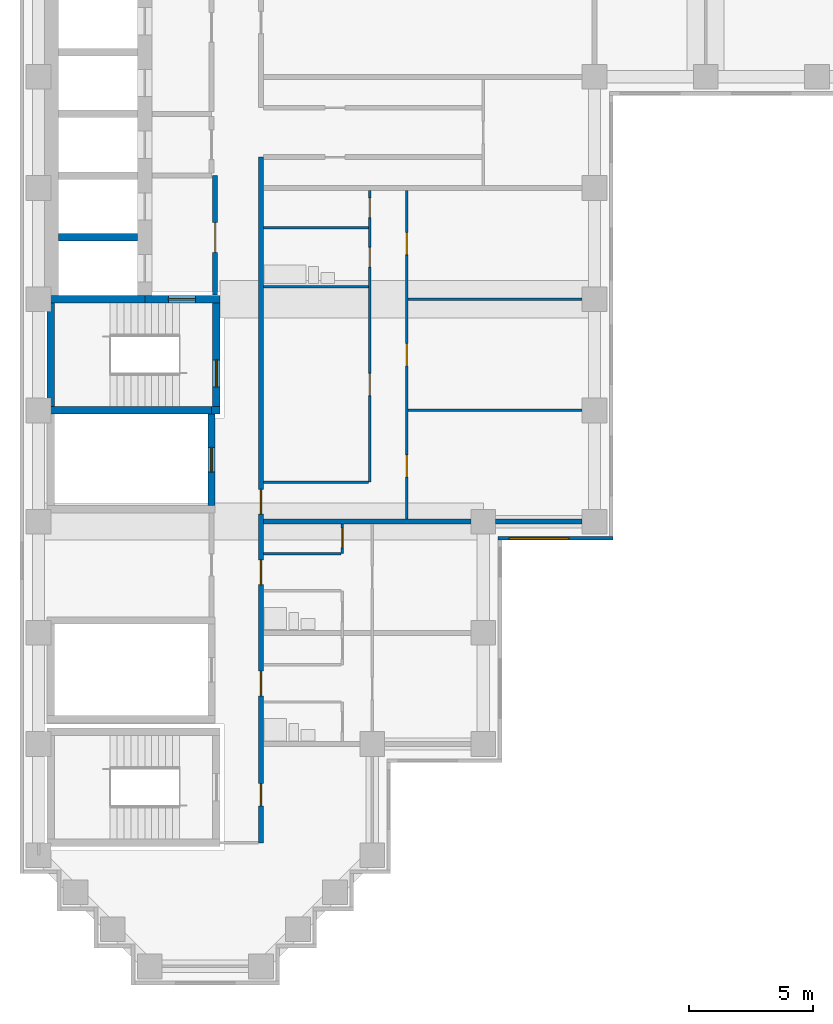
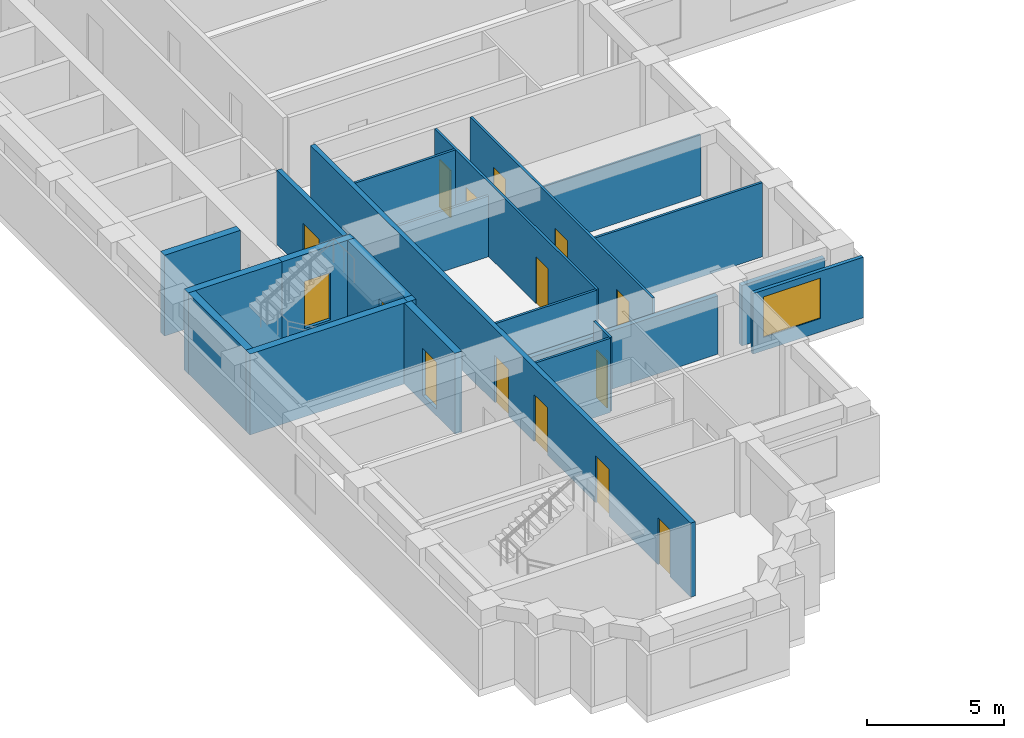
# One storey, part 3 of 12: 22 walls, 15 doors, 1 window, 16 openings.
"""IFC4 building model written with IfcOpenShell, lengths in metres."""

from ifc_helpers import new_model, si_unit, direction, frame, frame_2d, origin, place, context, subcontext, project, spatial, rectangle, extrude, material, layer, layer_set, type_object, element, fill, save


model = new_model("IFC4")

# Units and contexts
model_context = context("Model", 3, precision=1e-05, world=origin(), true_north=direction((0.0, 1.0)))
body_context = subcontext(model_context, "Body", "Model", "MODEL_VIEW")
ifc_project = project(units=[si_unit("LENGTHUNIT", "METRE"), si_unit("AREAUNIT", "SQUARE_METRE"), si_unit("VOLUMEUNIT", "CUBIC_METRE"), si_unit("PLANEANGLEUNIT", "RADIAN"), si_unit("MASSUNIT", "GRAM", prefix="KILO")], contexts=[model_context])

# Site, building, storey
site_placement = place(None, origin())
site = spatial("IfcSite", under=ifc_project, at=site_placement, CompositionType="ELEMENT")
building_placement = place(site_placement, origin())
building = spatial("IfcBuilding", under=site, at=building_placement, Name="Firuza Court", CompositionType="ELEMENT")
storey_placement = place(building_placement, frame((0.0, 0.0, 166.39990234375)))
storey = spatial("IfcBuildingStorey", under=building, at=storey_placement, Name="L42", CompositionType="ELEMENT", Elevation=166.39990234375)

# Walls
ifc_material_1 = material(Name="Moisture-resistant gypsum board partition")
ifc_layer_1 = layer(ifc_material_1, 0.10009765625)
ifc_layer_set_1 = layer_set([ifc_layer_1], Name="Moisture-resistant gypsum board partition")
wall_type_1 = type_object("IfcWallType", Name="Bathroom partition 100", PredefinedType="PLUMBINGWALL", material=ifc_layer_set_1)
wall_1_placement = place(storey_placement, frame((9.10009765625, 27.5, 0.0), z_axis=(0.0, 0.0, 1.0), x_axis=(1.0, 0.0, 0.0)))
element("IfcWall", 1, at=wall_1_placement, inside=storey, type_object=wall_type_1, Name="Bathroom partition 100 L42", PredefinedType="PLUMBINGWALL", context=body_context, shape_type="SweptSolid", body=[
    extrude(rectangle(XDim=4.25, YDim=0.10009765625, at=frame_2d((2.125, 0.0))), origin(), (0.0, 0.0, 1.0), 2.7001953125),
])
wall_2_placement = place(storey_placement, frame((9.10009765625, 29.89990234375, 0.0), z_axis=(0.0, 0.0, 1.0), x_axis=(1.0, 0.0, 0.0)))
element("IfcWall", 2, at=wall_2_placement, inside=storey, type_object=wall_type_1, Name="Bathroom partition 100 L42", PredefinedType="PLUMBINGWALL", context=body_context, shape_type="SweptSolid", body=[
    extrude(rectangle(XDim=4.25, YDim=0.10009765625, at=frame_2d((2.125, 0.0))), origin(), (0.0, 0.0, 1.0), 3.300048828125),
])
ifc_material_2 = material(Name="Concrete C60/75", Category="concrete")
ifc_layer_2 = layer(ifc_material_2, 0.300048828125)
ifc_layer_set_2 = layer_set([ifc_layer_2], Name="Concrete C60/75")
wall_type_2 = type_object("IfcWallType", Name="Core wall 300 C60/75", PredefinedType="SHEAR", material=ifc_layer_set_2)
wall_3_placement = place(storey_placement, frame((0.35009765625, 22.5, -0.2998046875), z_axis=(0.0, 0.0, 1.0), x_axis=(1.0, 0.0, 0.0)))
element("IfcWall", 3, at=wall_3_placement, inside=storey, type_object=wall_type_2, Name="Core wall riser L42", PredefinedType="SHEAR", context=body_context, shape_type="SweptSolid", body=[
    extrude(rectangle(XDim=6.64990234375, YDim=0.300048828125, at=frame_2d((3.324951171875, 0.0))), origin(), (0.0, 0.0, 1.0), 3.599853515625),
])
wall_4_placement = place(storey_placement, frame((0.35009765625, 27.0, -0.2998046875), z_axis=(0.0, 0.0, 1.0), x_axis=(1.0, 0.0, 0.0)))
element("IfcWall", 4, at=wall_4_placement, inside=storey, type_object=wall_type_2, Name="Core wall lift shaft L42", PredefinedType="SHEAR", context=body_context, shape_type="SweptSolid", body=[
    extrude(rectangle(XDim=3.949951171875, YDim=0.300048828125, at=frame_2d((1.97509765625, 0.0))), origin(), (0.0, 0.0, 1.0), 3.599853515625),
])
wall_5_placement = place(storey_placement, frame((0.5, 22.64990234375, -0.2998046875), z_axis=(0.0, 0.0, 1.0), x_axis=(0.0, 1.0, 0.0)))
element("IfcWall", 5, at=wall_5_placement, inside=storey, type_object=wall_type_2, Name="Core wall stair L42", PredefinedType="SHEAR", context=body_context, shape_type="SweptSolid", body=[
    extrude(rectangle(XDim=4.2001953125, YDim=0.300048828125, at=frame_2d((2.10009765625, 0.0))), origin(), (0.0, 0.0, 1.0), 3.599853515625),
])
wall_6_placement = place(storey_placement, frame((0.800048828125, 29.5, -0.2998046875), z_axis=(0.0, 0.0, 1.0), x_axis=(1.0, 0.0, 0.0)))
element("IfcWall", 6, at=wall_6_placement, inside=storey, type_object=wall_type_2, Name="Core wall lift shaft L42", PredefinedType="SHEAR", context=body_context, shape_type="SweptSolid", body=[
    extrude(rectangle(XDim=3.199951171875, YDim=0.300048828125, at=frame_2d((1.60009765625, 0.0))), origin(), (0.0, 0.0, 1.0), 3.599853515625),
])

# Wall, opening, door
wall_7_placement = place(storey_placement, frame((4.300048828125, 27.0, -0.2998046875), z_axis=(0.0, 0.0, 1.0), x_axis=(1.0, 0.0, 0.0)))
wall_7 = element("IfcWall", 7, at=wall_7_placement, inside=storey, type_object=wall_type_2, Name="Core wall stair L42", PredefinedType="SHEAR", context=body_context, shape_type="SweptSolid", body=[
    extrude(rectangle(XDim=3.050048828125, YDim=0.300048828125, at=frame_2d((1.52490234375, 0.0))), origin(), (0.0, 0.0, 1.0), 3.599853515625),
])
opening_1_placement = place(wall_7_placement, frame((0.949951171875, 0.0, 0.300048828125)))
opening_1 = element("IfcOpeningElement", 8, at=opening_1_placement, cuts=wall_7, Name="Opening D42013", PredefinedType="OPENING", context=body_context, shape_type="SweptSolid", body=[
    extrude(rectangle(XDim=1.10009765625, YDim=2.10009765625, at=frame_2d((0.550048828125, 1.050048828125))), frame((0.0, 0.162109375, 0.0), z_axis=(0.0, -1.0, 0.0), x_axis=(1.0, 0.0, 0.0)), (0.0, 0.0, 1.0), 0.323974609375),
])
ifc_material_3 = material(Name="Timber door leaf in hardwood frame", Category="wood")
door_type_1 = type_object("IfcDoorType", Name="Stair door 1100", OperationType="SINGLE_SWING_LEFT", PredefinedType="DOOR", material=ifc_material_3)
door_1_placement = place(opening_1_placement, frame((1.10009765625, 0.0, 0.0), z_axis=(0.0, 0.0, 1.0), x_axis=(-1.0, 0.0, 0.0)))
door_1 = element("IfcDoor", 9, at=door_1_placement, inside=storey, type_object=door_type_1, Name="Fire-fighting lobby door", OperationType="SINGLE_SWING_LEFT", OverallHeight=2.10009765625, OverallWidth=1.10009765625, PredefinedType="DOOR", context=body_context, shape_type="SweptSolid", body=[
    extrude(rectangle(XDim=1.10009765625, YDim=2.10009765625, at=frame_2d((0.550048828125, 1.050048828125))), frame((0.0, 0.02490234375, 0.0), z_axis=(0.0, -1.0, 0.0), x_axis=(1.0, 0.0, 0.0)), (0.0, 0.0, 1.0), 0.050048828125),
])
fill(opening_1, door_1)

wall_8_placement = place(storey_placement, frame((7.0, 18.64990234375, -0.2998046875), z_axis=(0.0, 0.0, 1.0), x_axis=(0.0, 1.0, 0.0)))
wall_8 = element("IfcWall", 10, at=wall_8_placement, inside=storey, type_object=wall_type_2, Name="Core wall riser L42", PredefinedType="SHEAR", context=body_context, shape_type="SweptSolid", body=[
    extrude(rectangle(XDim=3.7001953125, YDim=0.300048828125, at=frame_2d((1.85009765625, 0.0))), origin(), (0.0, 0.0, 1.0), 3.599853515625),
])
opening_2_placement = place(wall_8_placement, frame((1.35009765625, 0.0, 0.300048828125)))
opening_2 = element("IfcOpeningElement", 11, at=opening_2_placement, cuts=wall_8, Name="Opening D42009", PredefinedType="OPENING", context=body_context, shape_type="SweptSolid", body=[
    extrude(rectangle(XDim=1.0, YDim=2.10009765625, at=frame_2d((0.5, 1.050048828125))), frame((0.0, 0.162109375, 0.0), z_axis=(0.0, -1.0, 0.0), x_axis=(1.0, 0.0, 0.0)), (0.0, 0.0, 1.0), 0.323974609375),
])
ifc_material_4 = material(Name="Timber door leaf in hardwood frame", Category="wood")
door_type_2 = type_object("IfcDoorType", Name="Riser door 1000", OperationType="SINGLE_SWING_LEFT", PredefinedType="DOOR", material=ifc_material_4)
door_2_placement = place(opening_2_placement, origin())
door_2 = element("IfcDoor", 12, at=door_2_placement, inside=storey, type_object=door_type_2, Name="Riser door R1", OperationType="SINGLE_SWING_LEFT", OverallHeight=2.10009765625, OverallWidth=1.0, PredefinedType="DOOR", context=body_context, shape_type="SweptSolid", body=[
    extrude(rectangle(XDim=1.0, YDim=2.10009765625, at=frame_2d((0.5, 1.050048828125))), frame((0.0, 0.02490234375, 0.0), z_axis=(0.0, -1.0, 0.0), x_axis=(1.0, 0.0, 0.0)), (0.0, 0.0, 1.0), 0.050048828125),
])
fill(opening_2, door_2)

# Wall
wall_9_placement = place(storey_placement, frame((7.0, 22.5, -0.2998046875), z_axis=(0.0, 0.0, 1.0), x_axis=(1.0, 0.0, 0.0)))
element("IfcWall", 13, at=wall_9_placement, inside=storey, type_object=wall_type_2, Name="Core wall stair L42", PredefinedType="SHEAR", context=body_context, shape_type="SweptSolid", body=[
    extrude(rectangle(XDim=0.35009765625, YDim=0.300048828125, at=frame_2d((0.175048828125, 0.0))), origin(), (0.0, 0.0, 1.0), 3.599853515625),
])

# Wall, opening, door
wall_10_placement = place(storey_placement, frame((7.199951171875, 22.64990234375, -0.2998046875), z_axis=(0.0, 0.0, 1.0), x_axis=(0.0, 1.0, 0.0)))
wall_10 = element("IfcWall", 14, at=wall_10_placement, inside=storey, type_object=wall_type_2, Name="Core wall stair L42", PredefinedType="SHEAR", context=body_context, shape_type="SweptSolid", body=[
    extrude(rectangle(XDim=4.2001953125, YDim=0.300048828125, at=frame_2d((2.10009765625, 0.0))), origin(), (0.0, 0.0, 1.0), 3.599853515625),
])
opening_3_placement = place(wall_10_placement, frame((0.800048828125, 0.0, 0.300048828125)))
opening_3 = element("IfcOpeningElement", 15, at=opening_3_placement, cuts=wall_10, Name="Opening D42014", PredefinedType="OPENING", context=body_context, shape_type="SweptSolid", body=[
    extrude(rectangle(XDim=1.10009765625, YDim=2.10009765625, at=frame_2d((0.550048828125, 1.050048828125))), frame((0.0, 0.162109375, 0.0), z_axis=(0.0, -1.0, 0.0), x_axis=(1.0, 0.0, 0.0)), (0.0, 0.0, 1.0), 0.323974609375),
])
door_3_placement = place(opening_3_placement, origin())
door_3 = element("IfcDoor", 16, at=door_3_placement, inside=storey, type_object=door_type_1, Name="Stair door S2", OperationType="SINGLE_SWING_LEFT", OverallHeight=2.10009765625, OverallWidth=1.10009765625, PredefinedType="DOOR", context=body_context, shape_type="SweptSolid", body=[
    extrude(rectangle(XDim=1.10009765625, YDim=2.10009765625, at=frame_2d((0.550048828125, 1.050048828125))), frame((0.0, 0.02490234375, 0.0), z_axis=(0.0, -1.0, 0.0), x_axis=(1.0, 0.0, 0.0)), (0.0, 0.0, 1.0), 0.050048828125),
])
fill(opening_3, door_3)

# Wall, openings, doors
ifc_material_5 = material(Name="Blockwork, plastered both sides", Category="masonry")
ifc_layer_3 = layer(ifc_material_5, 0.199951171875)
ifc_layer_set_3 = layer_set([ifc_layer_3], Name="Blockwork, plastered both sides")
wall_type_3 = type_object("IfcWallType", Name="Corridor wall 200", PredefinedType="PARTITIONING", material=ifc_layer_set_3)
wall_11_placement = place(storey_placement, frame((9.0, 5.0, 0.0), z_axis=(0.0, 0.0, 1.0), x_axis=(0.0, 1.0, 0.0)))
wall_11 = element("IfcWall", 17, at=wall_11_placement, inside=storey, type_object=wall_type_3, Name="Corridor wall 200 L42", PredefinedType="PARTITIONING", context=body_context, shape_type="SweptSolid", body=[
    extrude(rectangle(XDim=27.75, YDim=0.199951171875, at=frame_2d((13.875, 0.0))), origin(), (0.0, 0.0, 1.0), 3.300048828125),
])
opening_4_placement = place(wall_11_placement, frame((13.300048828125, 0.0, 0.0)))
opening_4 = element("IfcOpeningElement", 18, at=opening_4_placement, cuts=wall_11, Name="Opening D42018", PredefinedType="OPENING", context=body_context, shape_type="SweptSolid", body=[
    extrude(rectangle(XDim=1.0, YDim=2.10009765625, at=frame_2d((0.5, 1.050048828125))), frame((0.0, 0.11181640625, 0.0), z_axis=(0.0, -1.0, 0.0), x_axis=(1.0, 0.0, 0.0)), (0.0, 0.0, 1.0), 0.223876953125),
])
opening_5_placement = place(wall_11_placement, frame((10.449951171875, 0.0, 0.0)))
opening_5 = element("IfcOpeningElement", 19, at=opening_5_placement, cuts=wall_11, Name="Opening D42019", PredefinedType="OPENING", context=body_context, shape_type="SweptSolid", body=[
    extrude(rectangle(XDim=1.0, YDim=2.10009765625, at=frame_2d((0.5, 1.050048828125))), frame((0.0, 0.11181640625, 0.0), z_axis=(0.0, -1.0, 0.0), x_axis=(1.0, 0.0, 0.0)), (0.0, 0.0, 1.0), 0.223876953125),
])
opening_6_placement = place(wall_11_placement, frame((5.949951171875, 0.0, 0.0)))
opening_6 = element("IfcOpeningElement", 20, at=opening_6_placement, cuts=wall_11, Name="Opening D42020", PredefinedType="OPENING", context=body_context, shape_type="SweptSolid", body=[
    extrude(rectangle(XDim=1.0, YDim=2.10009765625, at=frame_2d((0.5, 1.050048828125))), frame((0.0, 0.11181640625, 0.0), z_axis=(0.0, -1.0, 0.0), x_axis=(1.0, 0.0, 0.0)), (0.0, 0.0, 1.0), 0.223876953125),
])
opening_7_placement = place(wall_11_placement, frame((1.5, 0.0, 0.0)))
opening_7 = element("IfcOpeningElement", 21, at=opening_7_placement, cuts=wall_11, Name="Opening D42021", PredefinedType="OPENING", context=body_context, shape_type="SweptSolid", body=[
    extrude(rectangle(XDim=0.89990234375, YDim=2.10009765625, at=frame_2d((0.449951171875, 1.050048828125))), frame((0.0, 0.11181640625, 0.0), z_axis=(0.0, -1.0, 0.0), x_axis=(1.0, 0.0, 0.0)), (0.0, 0.0, 1.0), 0.223876953125),
])
ifc_material_6 = material(Name="Timber door leaf in hardwood frame", Category="wood")
door_type_3 = type_object("IfcDoorType", Name="Flat entrance door 1000", OperationType="SINGLE_SWING_LEFT", PredefinedType="DOOR", material=ifc_material_6)
door_4_placement = place(opening_4_placement, origin())
door_4 = element("IfcDoor", 22, at=door_4_placement, inside=storey, type_object=door_type_3, Name="Flat entrance door", OperationType="SINGLE_SWING_LEFT", OverallHeight=2.10009765625, OverallWidth=1.0, PredefinedType="DOOR", context=body_context, shape_type="SweptSolid", body=[
    extrude(rectangle(XDim=1.0, YDim=2.10009765625, at=frame_2d((0.5, 1.050048828125))), frame((0.0, 0.02490234375, 0.0), z_axis=(0.0, -1.0, 0.0), x_axis=(1.0, 0.0, 0.0)), (0.0, 0.0, 1.0), 0.050048828125),
])
fill(opening_4, door_4)
door_5_placement = place(opening_5_placement, origin())
door_5 = element("IfcDoor", 23, at=door_5_placement, inside=storey, type_object=door_type_3, Name="Flat entrance door", OperationType="SINGLE_SWING_LEFT", OverallHeight=2.10009765625, OverallWidth=1.0, PredefinedType="DOOR", context=body_context, shape_type="SweptSolid", body=[
    extrude(rectangle(XDim=1.0, YDim=2.10009765625, at=frame_2d((0.5, 1.050048828125))), frame((0.0, 0.02490234375, 0.0), z_axis=(0.0, -1.0, 0.0), x_axis=(1.0, 0.0, 0.0)), (0.0, 0.0, 1.0), 0.050048828125),
])
fill(opening_5, door_5)
door_6_placement = place(opening_6_placement, origin())
door_6 = element("IfcDoor", 24, at=door_6_placement, inside=storey, type_object=door_type_3, Name="Flat entrance door", OperationType="SINGLE_SWING_LEFT", OverallHeight=2.10009765625, OverallWidth=1.0, PredefinedType="DOOR", context=body_context, shape_type="SweptSolid", body=[
    extrude(rectangle(XDim=1.0, YDim=2.10009765625, at=frame_2d((0.5, 1.050048828125))), frame((0.0, 0.02490234375, 0.0), z_axis=(0.0, -1.0, 0.0), x_axis=(1.0, 0.0, 0.0)), (0.0, 0.0, 1.0), 0.050048828125),
])
fill(opening_6, door_6)
ifc_material_7 = material(Name="Timber door leaf in hardwood frame", Category="wood")
door_type_4 = type_object("IfcDoorType", Name="Room door 900 EI 30", OperationType="SINGLE_SWING_LEFT", PredefinedType="DOOR", material=ifc_material_7)
door_7_placement = place(opening_7_placement, origin())
door_7 = element("IfcDoor", 25, at=door_7_placement, inside=storey, type_object=door_type_4, Name="Residents' lounge door", OperationType="SINGLE_SWING_LEFT", OverallHeight=2.10009765625, OverallWidth=0.89990234375, PredefinedType="DOOR", context=body_context, shape_type="SweptSolid", body=[
    extrude(rectangle(XDim=0.89990234375, YDim=2.10009765625, at=frame_2d((0.449951171875, 1.050048828125))), frame((0.0, 0.02490234375, 0.0), z_axis=(0.0, -1.0, 0.0), x_axis=(1.0, 0.0, 0.0)), (0.0, 0.0, 1.0), 0.050048828125),
])
fill(opening_7, door_7)

# Wall
ifc_material_8 = material(Name="Timber stud partition, plasterboard both sides", Category="wood")
ifc_layer_4 = layer(ifc_material_8, 0.10009765625)
ifc_layer_set_4 = layer_set([ifc_layer_4], Name="Timber stud partition, plasterboard both sides")
wall_type_4 = type_object("IfcWallType", Name="Partition wall 100", PredefinedType="PARTITIONING", material=ifc_layer_set_4)
wall_12_placement = place(storey_placement, frame((9.10009765625, 16.699951171875, 0.0), z_axis=(0.0, 0.0, 1.0), x_axis=(1.0, 0.0, 0.0)))
element("IfcWall", 26, at=wall_12_placement, inside=storey, type_object=wall_type_4, Name="Partition wall 100 L42", PredefinedType="PARTITIONING", context=body_context, shape_type="SweptSolid", body=[
    extrude(rectangle(XDim=3.14990234375, YDim=0.10009765625, at=frame_2d((1.574951171875, 0.0))), origin(), (0.0, 0.0, 1.0), 3.300048828125),
])

# Wall, opening, door
wall_13_placement = place(storey_placement, frame((12.300048828125, 16.699951171875, 0.0), z_axis=(0.0, 0.0, 1.0), x_axis=(0.0, 1.0, 0.0)))
wall_13 = element("IfcWall", 27, at=wall_13_placement, inside=storey, type_object=wall_type_4, Name="Partition wall 100 L42", PredefinedType="PARTITIONING", context=body_context, shape_type="SweptSolid", body=[
    extrude(rectangle(XDim=1.199951171875, YDim=0.10009765625, at=frame_2d((0.60009765625, 0.0))), origin(), (0.0, 0.0, 1.0), 3.300048828125),
])
opening_8_placement = place(wall_13_placement, frame((0.25, 0.0, 0.0)))
opening_8 = element("IfcOpeningElement", 28, at=opening_8_placement, cuts=wall_13, Name="Opening D42028", PredefinedType="OPENING", context=body_context, shape_type="SweptSolid", body=[
    extrude(rectangle(XDim=0.800048828125, YDim=2.10009765625, at=frame_2d((0.39990234375, 1.050048828125))), frame((0.0, 0.06201171875, 0.0), z_axis=(0.0, -1.0, 0.0), x_axis=(1.0, 0.0, 0.0)), (0.0, 0.0, 1.0), 0.1240234375),
])
ifc_material_9 = material(Name="Timber door leaf in hardwood frame", Category="wood")
door_type_5 = type_object("IfcDoorType", Name="Room door 800", OperationType="SINGLE_SWING_LEFT", PredefinedType="DOOR", material=ifc_material_9)
door_8_placement = place(opening_8_placement, origin())
door_8 = element("IfcDoor", 29, at=door_8_placement, inside=storey, type_object=door_type_5, Name="Kitchen door", OperationType="SINGLE_SWING_LEFT", OverallHeight=2.10009765625, OverallWidth=0.800048828125, PredefinedType="DOOR", context=body_context, shape_type="SweptSolid", body=[
    extrude(rectangle(XDim=0.800048828125, YDim=2.10009765625, at=frame_2d((0.39990234375, 1.050048828125))), frame((0.0, 0.02490234375, 0.0), z_axis=(0.0, -1.0, 0.0), x_axis=(1.0, 0.0, 0.0)), (0.0, 0.0, 1.0), 0.050048828125),
])
fill(opening_8, door_8)

# Wall, openings, doors
wall_14_placement = place(storey_placement, frame((14.89990234375, 18.10009765625, 0.0), z_axis=(0.0, 0.0, 1.0), x_axis=(0.0, 1.0, 0.0)))
wall_14 = element("IfcWall", 30, at=wall_14_placement, inside=storey, type_object=wall_type_4, Name="Partition wall 100 L42", PredefinedType="PARTITIONING", context=body_context, shape_type="SweptSolid", body=[
    extrude(rectangle(XDim=13.2998046875, YDim=0.10009765625, at=frame_2d((6.64990234375, 0.0))), origin(), (0.0, 0.0, 1.0), 3.300048828125),
])
opening_9_placement = place(wall_14_placement, frame((1.699951171875, 0.0, 0.0)))
opening_9 = element("IfcOpeningElement", 31, at=opening_9_placement, cuts=wall_14, Name="Opening D42029", PredefinedType="OPENING", context=body_context, shape_type="SweptSolid", body=[
    extrude(rectangle(XDim=0.89990234375, YDim=2.10009765625, at=frame_2d((0.449951171875, 1.050048828125))), frame((0.0, 0.06201171875, 0.0), z_axis=(0.0, -1.0, 0.0), x_axis=(1.0, 0.0, 0.0)), (0.0, 0.0, 1.0), 0.1240234375),
])
opening_10_placement = place(wall_14_placement, frame((6.199951171875, 0.0, 0.0)))
opening_10 = element("IfcOpeningElement", 32, at=opening_10_placement, cuts=wall_14, Name="Opening D42030", PredefinedType="OPENING", context=body_context, shape_type="SweptSolid", body=[
    extrude(rectangle(XDim=0.89990234375, YDim=2.10009765625, at=frame_2d((0.449951171875, 1.050048828125))), frame((0.0, 0.06201171875, 0.0), z_axis=(0.0, -1.0, 0.0), x_axis=(1.0, 0.0, 0.0)), (0.0, 0.0, 1.0), 0.1240234375),
])
opening_11_placement = place(wall_14_placement, frame((10.699951171875, 0.0, 0.0)))
opening_11 = element("IfcOpeningElement", 33, at=opening_11_placement, cuts=wall_14, Name="Opening D42031", PredefinedType="OPENING", context=body_context, shape_type="SweptSolid", body=[
    extrude(rectangle(XDim=0.89990234375, YDim=2.10009765625, at=frame_2d((0.449951171875, 1.050048828125))), frame((0.0, 0.06201171875, 0.0), z_axis=(0.0, -1.0, 0.0), x_axis=(1.0, 0.0, 0.0)), (0.0, 0.0, 1.0), 0.1240234375),
])
ifc_material_10 = material(Name="Timber door leaf in hardwood frame", Category="wood")
door_type_6 = type_object("IfcDoorType", Name="Room door 900", OperationType="SINGLE_SWING_LEFT", PredefinedType="DOOR", material=ifc_material_10)
door_9_placement = place(opening_9_placement, frame((0.89990234375, 0.0, 0.0), z_axis=(0.0, 0.0, 1.0), x_axis=(-1.0, 0.0, 0.0)))
door_9 = element("IfcDoor", 34, at=door_9_placement, inside=storey, type_object=door_type_6, Name="Living room door", OperationType="SINGLE_SWING_RIGHT", OverallHeight=2.10009765625, OverallWidth=0.89990234375, PredefinedType="DOOR", context=body_context, shape_type="SweptSolid", body=[
    extrude(rectangle(XDim=0.89990234375, YDim=2.10009765625, at=frame_2d((0.449951171875, 1.050048828125))), frame((0.0, 0.02490234375, 0.0), z_axis=(0.0, -1.0, 0.0), x_axis=(1.0, 0.0, 0.0)), (0.0, 0.0, 1.0), 0.050048828125),
])
fill(opening_9, door_9)
door_10_placement = place(opening_10_placement, frame((0.89990234375, 0.0, 0.0), z_axis=(0.0, 0.0, 1.0), x_axis=(-1.0, 0.0, 0.0)))
door_10 = element("IfcDoor", 35, at=door_10_placement, inside=storey, type_object=door_type_6, Name="Bedroom door", OperationType="SINGLE_SWING_RIGHT", OverallHeight=2.10009765625, OverallWidth=0.89990234375, PredefinedType="DOOR", context=body_context, shape_type="SweptSolid", body=[
    extrude(rectangle(XDim=0.89990234375, YDim=2.10009765625, at=frame_2d((0.449951171875, 1.050048828125))), frame((0.0, 0.02490234375, 0.0), z_axis=(0.0, -1.0, 0.0), x_axis=(1.0, 0.0, 0.0)), (0.0, 0.0, 1.0), 0.050048828125),
])
fill(opening_10, door_10)
door_11_placement = place(opening_11_placement, frame((0.89990234375, 0.0, 0.0), z_axis=(0.0, 0.0, 1.0), x_axis=(-1.0, 0.0, 0.0)))
door_11 = element("IfcDoor", 36, at=door_11_placement, inside=storey, type_object=door_type_6, Name="Bedroom door", OperationType="SINGLE_SWING_RIGHT", OverallHeight=2.10009765625, OverallWidth=0.89990234375, PredefinedType="DOOR", context=body_context, shape_type="SweptSolid", body=[
    extrude(rectangle(XDim=0.89990234375, YDim=2.10009765625, at=frame_2d((0.449951171875, 1.050048828125))), frame((0.0, 0.02490234375, 0.0), z_axis=(0.0, -1.0, 0.0), x_axis=(1.0, 0.0, 0.0)), (0.0, 0.0, 1.0), 0.050048828125),
])
fill(opening_11, door_11)

# Wall
wall_15_placement = place(storey_placement, frame((9.10009765625, 19.60009765625, 0.0), z_axis=(0.0, 0.0, 1.0), x_axis=(1.0, 0.0, 0.0)))
element("IfcWall", 37, at=wall_15_placement, inside=storey, type_object=wall_type_4, Name="Partition wall 100 L42", PredefinedType="PARTITIONING", context=body_context, shape_type="SweptSolid", body=[
    extrude(rectangle(XDim=4.25, YDim=0.10009765625, at=frame_2d((2.125, 0.0))), origin(), (0.0, 0.0, 1.0), 3.300048828125),
])

# Wall, openings, doors
wall_16_placement = place(storey_placement, frame((13.39990234375, 19.60009765625, 0.0), z_axis=(0.0, 0.0, 1.0), x_axis=(0.0, 1.0, 0.0)))
wall_16 = element("IfcWall", 38, at=wall_16_placement, inside=storey, type_object=wall_type_4, Name="Partition wall 100 L42", PredefinedType="PARTITIONING", context=body_context, shape_type="SweptSolid", body=[
    extrude(rectangle(XDim=11.7998046875, YDim=0.10009765625, at=frame_2d((5.89990234375, 0.0))), origin(), (0.0, 0.0, 1.0), 3.300048828125),
])
opening_12_placement = place(wall_16_placement, frame((8.699951171875, 0.0, 0.0)))
opening_12 = element("IfcOpeningElement", 39, at=opening_12_placement, cuts=wall_16, Name="Opening D42032", PredefinedType="OPENING", context=body_context, shape_type="SweptSolid", body=[
    extrude(rectangle(XDim=0.800048828125, YDim=2.10009765625, at=frame_2d((0.39990234375, 1.050048828125))), frame((0.0, 0.06201171875, 0.0), z_axis=(0.0, -1.0, 0.0), x_axis=(1.0, 0.0, 0.0)), (0.0, 0.0, 1.0), 0.1240234375),
])
opening_13_placement = place(wall_16_placement, frame((3.5, 0.0, 0.0)))
opening_13 = element("IfcOpeningElement", 40, at=opening_13_placement, cuts=wall_16, Name="Opening D42033", PredefinedType="OPENING", context=body_context, shape_type="SweptSolid", body=[
    extrude(rectangle(XDim=0.89990234375, YDim=2.10009765625, at=frame_2d((0.449951171875, 1.050048828125))), frame((0.0, 0.06201171875, 0.0), z_axis=(0.0, -1.0, 0.0), x_axis=(1.0, 0.0, 0.0)), (0.0, 0.0, 1.0), 0.1240234375),
])
opening_14_placement = place(wall_16_placement, frame((10.699951171875, 0.0, 0.0)))
opening_14 = element("IfcOpeningElement", 41, at=opening_14_placement, cuts=wall_16, Name="Opening D42034", PredefinedType="OPENING", context=body_context, shape_type="SweptSolid", body=[
    extrude(rectangle(XDim=0.800048828125, YDim=2.10009765625, at=frame_2d((0.39990234375, 1.050048828125))), frame((0.0, 0.06201171875, 0.0), z_axis=(0.0, -1.0, 0.0), x_axis=(1.0, 0.0, 0.0)), (0.0, 0.0, 1.0), 0.1240234375),
])
ifc_material_11 = material(Name="Timber door leaf in hardwood frame", Category="wood")
door_type_7 = type_object("IfcDoorType", Name="Bathroom door 800", OperationType="SINGLE_SWING_LEFT", PredefinedType="DOOR", material=ifc_material_11)
door_12_placement = place(opening_12_placement, origin())
door_12 = element("IfcDoor", 42, at=door_12_placement, inside=storey, type_object=door_type_7, Name="Bathroom door", OperationType="SINGLE_SWING_LEFT", OverallHeight=2.10009765625, OverallWidth=0.800048828125, PredefinedType="DOOR", context=body_context, shape_type="SweptSolid", body=[
    extrude(rectangle(XDim=0.800048828125, YDim=2.10009765625, at=frame_2d((0.39990234375, 1.050048828125))), frame((0.0, 0.02490234375, 0.0), z_axis=(0.0, -1.0, 0.0), x_axis=(1.0, 0.0, 0.0)), (0.0, 0.0, 1.0), 0.050048828125),
])
fill(opening_12, door_12)
door_13_placement = place(opening_14_placement, origin())
door_13 = element("IfcDoor", 43, at=door_13_placement, inside=storey, type_object=door_type_5, Name="Store door", OperationType="SINGLE_SWING_LEFT", OverallHeight=2.10009765625, OverallWidth=0.800048828125, PredefinedType="DOOR", context=body_context, shape_type="SweptSolid", body=[
    extrude(rectangle(XDim=0.800048828125, YDim=2.10009765625, at=frame_2d((0.39990234375, 1.050048828125))), frame((0.0, 0.02490234375, 0.0), z_axis=(0.0, -1.0, 0.0), x_axis=(1.0, 0.0, 0.0)), (0.0, 0.0, 1.0), 0.050048828125),
])
fill(opening_14, door_13)
door_14_placement = place(opening_13_placement, origin())
door_14 = element("IfcDoor", 44, at=door_14_placement, inside=storey, type_object=door_type_6, Name="Kitchen door", OperationType="SINGLE_SWING_LEFT", OverallHeight=2.10009765625, OverallWidth=0.89990234375, PredefinedType="DOOR", context=body_context, shape_type="SweptSolid", body=[
    extrude(rectangle(XDim=0.89990234375, YDim=2.10009765625, at=frame_2d((0.449951171875, 1.050048828125))), frame((0.0, 0.02490234375, 0.0), z_axis=(0.0, -1.0, 0.0), x_axis=(1.0, 0.0, 0.0)), (0.0, 0.0, 1.0), 0.050048828125),
])
fill(opening_13, door_14)

# Walls
wall_17_placement = place(storey_placement, frame((14.949951171875, 22.5, 0.0), z_axis=(0.0, 0.0, 1.0), x_axis=(1.0, 0.0, 0.0)))
element("IfcWall", 45, at=wall_17_placement, inside=storey, type_object=wall_type_4, Name="Partition wall 100 L42", PredefinedType="PARTITIONING", context=body_context, shape_type="SweptSolid", body=[
    extrude(rectangle(XDim=7.050048828125, YDim=0.10009765625, at=frame_2d((3.52490234375, 0.0))), origin(), (0.0, 0.0, 1.0), 3.300048828125),
])
wall_18_placement = place(storey_placement, frame((14.949951171875, 27.0, 0.0), z_axis=(0.0, 0.0, 1.0), x_axis=(1.0, 0.0, 0.0)))
element("IfcWall", 46, at=wall_18_placement, inside=storey, type_object=wall_type_4, Name="Partition wall 100 L42", PredefinedType="PARTITIONING", context=body_context, shape_type="SweptSolid", body=[
    extrude(rectangle(XDim=7.050048828125, YDim=0.10009765625, at=frame_2d((3.52490234375, 0.0))), origin(), (0.0, 0.0, 1.0), 2.7001953125),
])
ifc_layer_5 = layer(ifc_material_5, 0.199951171875)
ifc_layer_set_5 = layer_set([ifc_layer_5], Name="Blockwork, plastered both sides")
wall_type_5 = type_object("IfcWallType", Name="Party wall 200", PredefinedType="PARTITIONING", material=ifc_layer_set_5)
wall_19_placement = place(storey_placement, frame((9.10009765625, 18.0, 0.0), z_axis=(0.0, 0.0, 1.0), x_axis=(1.0, 0.0, 0.0)))
element("IfcWall", 47, at=wall_19_placement, inside=storey, type_object=wall_type_5, Name="Party wall 200 L42", PredefinedType="PARTITIONING", context=body_context, shape_type="SweptSolid", body=[
    extrude(rectangle(XDim=8.39990234375, YDim=0.199951171875, at=frame_2d((4.199951171875, 0.0))), origin(), (0.0, 0.0, 1.0), 2.60009765625),
])
wall_20_placement = place(storey_placement, frame((18.5, 18.0, 0.0), z_axis=(0.0, 0.0, 1.0), x_axis=(1.0, 0.0, 0.0)))
element("IfcWall", 48, at=wall_20_placement, inside=storey, type_object=wall_type_5, Name="Party wall 200 L42", PredefinedType="PARTITIONING", context=body_context, shape_type="SweptSolid", body=[
    extrude(rectangle(XDim=3.5, YDim=0.199951171875, at=frame_2d((1.75, 0.0))), origin(), (0.0, 0.0, 1.0), 2.7001953125),
])

# Wall, opening, window
ifc_material_12 = material(Name="Ceramic tile", Category="ceramic")
ifc_layer_6 = layer(ifc_material_12, 0.02001953125)
ifc_material_13 = material(Name="Mineral wool insulation", Category="insulation")
ifc_layer_7 = layer(ifc_material_13, 0.050048828125)
ifc_material_14 = material(Name="Concrete C40/50 precast", Category="concrete")
ifc_layer_8 = layer(ifc_material_14, 0.080078125)
ifc_layer_set_6 = layer_set([ifc_layer_6, ifc_layer_7, ifc_layer_8], Name="Concrete C40/50 precast")
wall_type_6 = type_object("IfcWallType", Name="Precast cladding wall with turquoise TILE PANEL face 150", PredefinedType="STANDARD", material=ifc_layer_set_6)
wall_21_placement = place(storey_placement, frame((18.60009765625, 17.324951171875, 0.0), z_axis=(0.0, 0.0, 1.0), x_axis=(1.0, 0.0, 0.0)))
wall_21 = element("IfcWall", 49, at=wall_21_placement, inside=storey, type_object=wall_type_6, Name="Facade wall L42 S", PredefinedType="STANDARD", context=body_context, shape_type="SweptSolid", body=[
    extrude(rectangle(XDim=4.64990234375, YDim=0.14990234375, at=frame_2d((2.324951171875, 0.0))), origin(), (0.0, 0.0, 1.0), 2.7001953125),
])
opening_15_placement = place(wall_21_placement, frame((0.449951171875, 0.0, 0.60009765625)))
opening_15 = element("IfcOpeningElement", 50, at=opening_15_placement, cuts=wall_21, Name="Opening W1", PredefinedType="OPENING", context=body_context, shape_type="SweptSolid", body=[
    extrude(rectangle(XDim=2.39990234375, YDim=1.800048828125, at=frame_2d((1.199951171875, 0.89990234375))), frame((0.0, 0.0869140625, 0.0), z_axis=(0.0, -1.0, 0.0), x_axis=(1.0, 0.0, 0.0)), (0.0, 0.0, 1.0), 0.173828125),
])
ifc_material_15 = material(Name="Aluminium frame, triple clear glazing", Category="aluminium")
window_type = type_object("IfcWindowType", Name="Window W1 2400 x 1800", PartitioningType="SINGLE_PANEL", PredefinedType="WINDOW", material=ifc_material_15)
window_placement = place(opening_15_placement, origin())
window = element("IfcWindow", 51, at=window_placement, inside=storey, type_object=window_type, Name="Window L42", OverallHeight=1.800048828125, OverallWidth=2.39990234375, PartitioningType="SINGLE_PANEL", PredefinedType="WINDOW", context=body_context, shape_type="SweptSolid", body=[
    extrude(rectangle(XDim=2.39990234375, YDim=1.800048828125, at=frame_2d((1.199951171875, 0.89990234375))), frame((0.0, 0.030029296875, 0.0), z_axis=(0.0, -1.0, 0.0), x_axis=(1.0, 0.0, 0.0)), (0.0, 0.0, 1.0), 0.06005859375),
])
fill(opening_15, window)

# Wall, opening, door
ifc_material_16 = material(Name="Blockwork, fire-rated", Category="masonry")
ifc_layer_9 = layer(ifc_material_16, 0.199951171875)
ifc_layer_set_7 = layer_set([ifc_layer_9], Name="Blockwork, fire-rated")
wall_type_7 = type_object("IfcWallType", Name="Shaft wall 200", PredefinedType="PARTITIONING", material=ifc_layer_set_7)
wall_22_placement = place(storey_placement, frame((7.14990234375, 27.169921875, 0.0), z_axis=(0.0, 0.0, 1.0), x_axis=(0.0, 1.0, 0.0)))
wall_22 = element("IfcWall", 52, at=wall_22_placement, inside=storey, type_object=wall_type_7, Name="Shaft wall 200 L42", PredefinedType="PARTITIONING", context=body_context, shape_type="SweptSolid", body=[
    extrude(rectangle(XDim=4.830078125, YDim=0.199951171875, at=frame_2d((2.4150390625, 0.0))), origin(), (0.0, 0.0, 1.0), 3.300048828125),
])
opening_16_placement = place(wall_22_placement, frame((1.72998046875, 0.0, 0.0)))
opening_16 = element("IfcOpeningElement", 53, at=opening_16_placement, cuts=wall_22, Name="Opening D42002", PredefinedType="OPENING", context=body_context, shape_type="SweptSolid", body=[
    extrude(rectangle(XDim=1.199951171875, YDim=2.10009765625, at=frame_2d((0.60009765625, 1.050048828125))), frame((0.0, 0.11181640625, 0.0), z_axis=(0.0, -1.0, 0.0), x_axis=(1.0, 0.0, 0.0)), (0.0, 0.0, 1.0), 0.223876953125),
])
ifc_material_17 = material(Name="Timber door leaf in hardwood frame", Category="wood")
door_type_8 = type_object("IfcDoorType", Name="Lobby door 1200", OperationType="SINGLE_SWING_LEFT", PredefinedType="DOOR", material=ifc_material_17)
door_15_placement = place(opening_16_placement, origin())
door_15 = element("IfcDoor", 54, at=door_15_placement, inside=storey, type_object=door_type_8, Name="Fire-fighting lobby door", OperationType="SINGLE_SWING_LEFT", OverallHeight=2.10009765625, OverallWidth=1.199951171875, PredefinedType="DOOR", context=body_context, shape_type="SweptSolid", body=[
    extrude(rectangle(XDim=1.199951171875, YDim=2.10009765625, at=frame_2d((0.60009765625, 1.050048828125))), frame((0.0, 0.02490234375, 0.0), z_axis=(0.0, -1.0, 0.0), x_axis=(1.0, 0.0, 0.0)), (0.0, 0.0, 1.0), 0.050048828125),
])
fill(opening_16, door_15)

save(model, "model.ifc")
